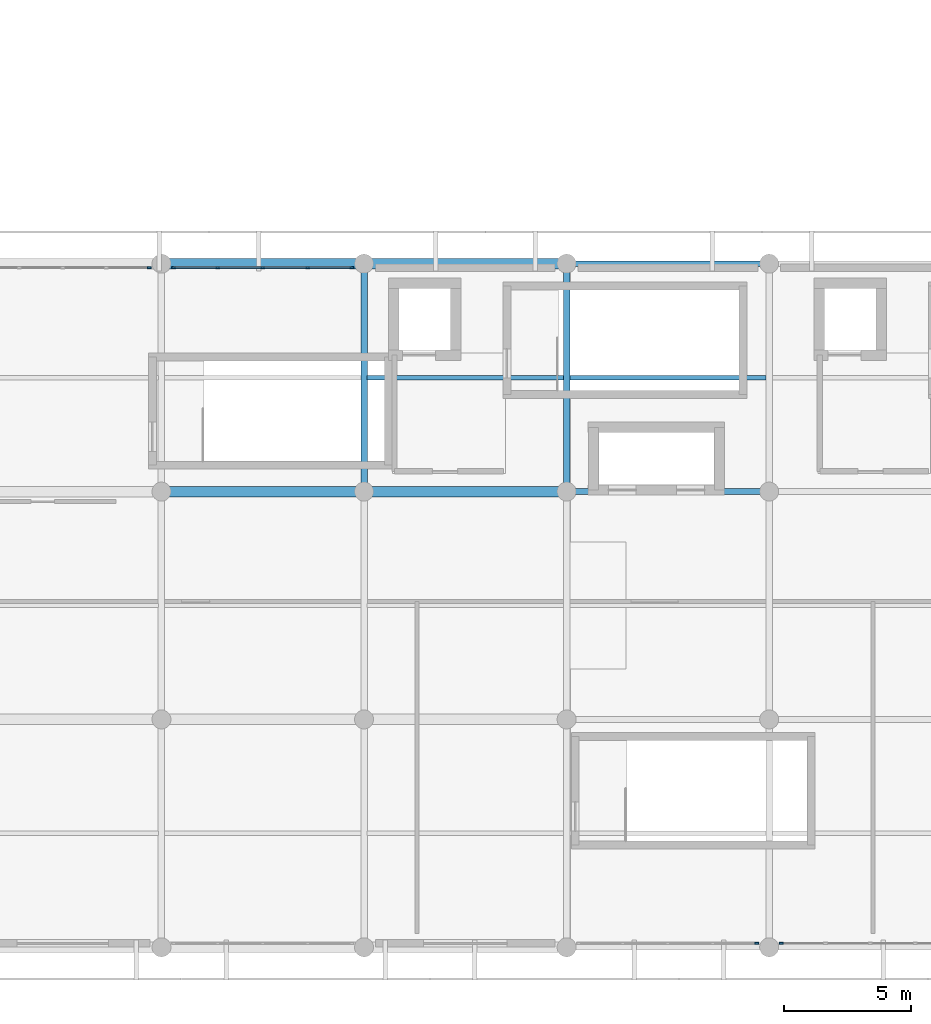
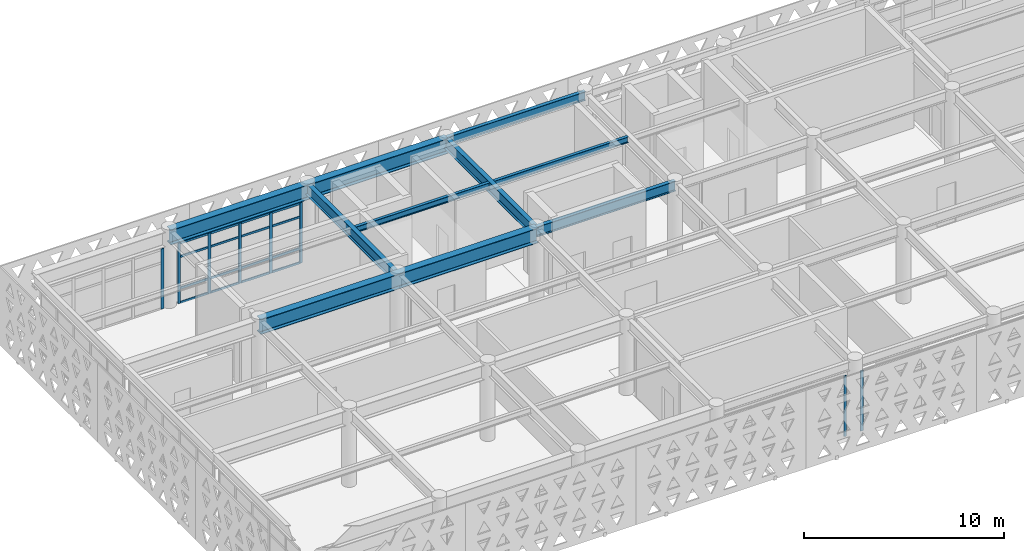
# One storey, part 6 of 26: 24 members, 8 beams, 4 elements without a shape of their own.
"""IFC4 building model written with IfcOpenShell, lengths in metres."""

from ifc_helpers import new_model, si_unit, direction, frame, origin, origin_2d, place, context, subcontext, project, spatial, rectangle, i_section, extrude, material, layer, layer_set, material_profile, profile_set, type_object, element, aggregate, save


model = new_model("IFC4")

# Units and contexts
model_context = context("Model", 3, precision=1e-05, world=origin(), true_north=direction((0.0, 1.0)))
body_context = subcontext(model_context, "Body", "Model", "MODEL_VIEW")
ifc_project = project(units=[si_unit("LENGTHUNIT", "METRE"), si_unit("AREAUNIT", "SQUARE_METRE"), si_unit("VOLUMEUNIT", "CUBIC_METRE"), si_unit("PLANEANGLEUNIT", "RADIAN"), si_unit("MASSUNIT", "GRAM", prefix="KILO")], contexts=[model_context])

# Site, building, storey
site_placement = place(None, origin())
site = spatial("IfcSite", under=ifc_project, at=site_placement, CompositionType="ELEMENT")
building_placement = place(site_placement, origin())
building = spatial("IfcBuilding", under=site, at=building_placement, Name="Tlacozan Convention Centre", CompositionType="ELEMENT")
storey_placement = place(building_placement, frame((0.0, 0.0, 21.0)))
storey = spatial("IfcBuildingStorey", under=building, at=storey_placement, Name="L04", CompositionType="ELEMENT", Elevation=21.0)

# Curtain wall, member
ifc_material_1 = material(Name="Dark Bronze Anodised Aluminium", Category="aluminium")
ifc_layer = layer(ifc_material_1, 0.159912109375)
ifc_layer_set = layer_set([ifc_layer], Name="Dark Bronze Anodised Aluminium")
curtain_wall_type = type_object("IfcCurtainWallType", Name="Unitised Congress L04 South CW05", PredefinedType="NOTDEFINED", material=ifc_layer_set)
curtain_wall_1_placement = place(storey_placement, origin())
curtain_wall_1 = element("IfcCurtainWall", 1, at=curtain_wall_1_placement, inside=storey, type_object=curtain_wall_type, Name="L04 CW-05 Run 125", PredefinedType="NOTDEFINED")
ifc_material_profile_1 = material_profile(ifc_material_1, rectangle(XDim=0.06494140625, YDim=0.159912109375, at=origin_2d()), Name="ALU 65x160")
ifc_profile_set_1 = profile_set([ifc_material_profile_1], Name="Dark Bronze Anodised Aluminium")
member_type_1 = type_object("IfcMemberType", Name="Curtain Wall Mullion 65x160", PredefinedType="MULLION", material=ifc_profile_set_1)
member_1_placement = place(storey_placement, frame((31.517578125, 0.159912109375, 0.0), z_axis=(0.0, 0.0, 1.0), x_axis=(0.0, 1.0, 0.0)))
member_1 = element("IfcMember", 2, at=member_1_placement, type_object=member_type_1, Name="CW-05 mullion 5", PredefinedType="MULLION", context=body_context, shape_type="SweptSolid", body=[
    extrude(rectangle(XDim=0.06494140625, YDim=0.159912109375, at=origin_2d()), origin(), (0.0, 0.0, 1.0), 3.679931640625),
])
aggregate(curtain_wall_1, [member_1])

curtain_wall_2_placement = place(storey_placement, origin())
curtain_wall_2 = element("IfcCurtainWall", 3, at=curtain_wall_2_placement, inside=storey, type_object=curtain_wall_type, Name="L04 CW-05 Run 126", PredefinedType="NOTDEFINED")
member_2_placement = place(storey_placement, frame((32.482421875, 0.159912109375, 0.0), z_axis=(0.0, 0.0, 1.0), x_axis=(0.0, 1.0, 0.0)))
member_2 = element("IfcMember", 4, at=member_2_placement, type_object=member_type_1, Name="CW-05 mullion 1", PredefinedType="MULLION", context=body_context, shape_type="SweptSolid", body=[
    extrude(rectangle(XDim=0.06494140625, YDim=0.159912109375, at=origin_2d()), origin(), (0.0, 0.0, 1.0), 3.679931640625),
])
aggregate(curtain_wall_2, [member_2])

curtain_wall_3_placement = place(storey_placement, origin())
curtain_wall_3 = element("IfcCurtainWall", 5, at=curtain_wall_3_placement, inside=storey, type_object=curtain_wall_type, Name="L04 CW-05 Run 134", PredefinedType="NOTDEFINED")
member_3_placement = place(storey_placement, frame((7.517578125, 26.840087890625, 0.0), z_axis=(0.0, 0.0, 1.0), x_axis=(0.0, 1.0, 0.0)))
member_3 = element("IfcMember", 6, at=member_3_placement, type_object=member_type_1, Name="CW-05 mullion 5", PredefinedType="MULLION", context=body_context, shape_type="SweptSolid", body=[
    extrude(rectangle(XDim=0.06494140625, YDim=0.159912109375, at=origin_2d()), origin(), (0.0, 0.0, 1.0), 3.679931640625),
])
aggregate(curtain_wall_3, [member_3])

# Curtain wall, members
curtain_wall_4_placement = place(storey_placement, origin())
curtain_wall_4 = element("IfcCurtainWall", 7, at=curtain_wall_4_placement, inside=storey, type_object=curtain_wall_type, Name="L04 CW-05 Run 135", PredefinedType="NOTDEFINED")
member_4_placement = place(storey_placement, frame((8.482421875, 26.840087890625, 0.0), z_axis=(0.0, 0.0, 1.0), x_axis=(0.0, 1.0, 0.0)))
member_4 = element("IfcMember", 8, at=member_4_placement, type_object=member_type_1, Name="CW-05 mullion 1", PredefinedType="MULLION", context=body_context, shape_type="SweptSolid", body=[
    extrude(rectangle(XDim=0.06494140625, YDim=0.159912109375, at=origin_2d()), origin(), (0.0, 0.0, 1.0), 3.679931640625),
])
member_5_placement = place(storey_placement, frame((10.22509765625, 26.840087890625, 0.0), z_axis=(0.0, 0.0, 1.0), x_axis=(0.0, 1.0, 0.0)))
member_5 = element("IfcMember", 9, at=member_5_placement, type_object=member_type_1, Name="CW-05 mullion 2", PredefinedType="MULLION", context=body_context, shape_type="SweptSolid", body=[
    extrude(rectangle(XDim=0.06494140625, YDim=0.159912109375, at=origin_2d()), origin(), (0.0, 0.0, 1.0), 3.679931640625),
])
member_6_placement = place(storey_placement, frame((12.0, 26.840087890625, 0.0), z_axis=(0.0, 0.0, 1.0), x_axis=(0.0, 1.0, 0.0)))
member_6 = element("IfcMember", 10, at=member_6_placement, type_object=member_type_1, Name="CW-05 mullion 3", PredefinedType="MULLION", context=body_context, shape_type="SweptSolid", body=[
    extrude(rectangle(XDim=0.06494140625, YDim=0.159912109375, at=origin_2d()), origin(), (0.0, 0.0, 1.0), 3.679931640625),
])
member_7_placement = place(storey_placement, frame((13.77490234375, 26.840087890625, 0.0), z_axis=(0.0, 0.0, 1.0), x_axis=(0.0, 1.0, 0.0)))
member_7 = element("IfcMember", 11, at=member_7_placement, type_object=member_type_1, Name="CW-05 mullion 4", PredefinedType="MULLION", context=body_context, shape_type="SweptSolid", body=[
    extrude(rectangle(XDim=0.06494140625, YDim=0.159912109375, at=origin_2d()), origin(), (0.0, 0.0, 1.0), 3.679931640625),
])
member_8_placement = place(storey_placement, frame((15.517578125, 26.840087890625, 0.0), z_axis=(0.0, 0.0, 1.0), x_axis=(0.0, 1.0, 0.0)))
member_8 = element("IfcMember", 12, at=member_8_placement, type_object=member_type_1, Name="CW-05 mullion 5", PredefinedType="MULLION", context=body_context, shape_type="SweptSolid", body=[
    extrude(rectangle(XDim=0.06494140625, YDim=0.159912109375, at=origin_2d()), origin(), (0.0, 0.0, 1.0), 3.679931640625),
])
ifc_material_profile_2 = material_profile(ifc_material_1, rectangle(XDim=0.06494140625, YDim=0.125, at=origin_2d()), Name="ALU 65x125")
ifc_profile_set_2 = profile_set([ifc_material_profile_2], Name="Dark Bronze Anodised Aluminium")
member_type_2 = type_object("IfcMemberType", Name="Curtain Wall Transom 65x125", PredefinedType="USERDEFINED", material=ifc_profile_set_2)
member_9_placement = place(storey_placement, frame((8.514892578125, 26.840087890625, 0.032470703125), z_axis=(1.0, 0.0, 0.0), x_axis=(0.0, 1.0, 0.0)))
member_9 = element("IfcMember", 13, at=member_9_placement, type_object=member_type_2, Name="CW-05 transom 1.1", ObjectType="TRANSOM", PredefinedType="USERDEFINED", context=body_context, shape_type="SweptSolid", body=[
    extrude(rectangle(XDim=0.06494140625, YDim=0.125, at=origin_2d()), origin(), (0.0, 0.0, 1.0), 1.677490234375),
])
member_10_placement = place(storey_placement, frame((8.514892578125, 26.840087890625, 0.89990234375), z_axis=(1.0, 0.0, 0.0), x_axis=(0.0, 1.0, 0.0)))
member_10 = element("IfcMember", 14, at=member_10_placement, type_object=member_type_2, Name="CW-05 transom 1.2", ObjectType="TRANSOM", PredefinedType="USERDEFINED", context=body_context, shape_type="SweptSolid", body=[
    extrude(rectangle(XDim=0.06494140625, YDim=0.125, at=origin_2d()), origin(), (0.0, 0.0, 1.0), 1.677490234375),
])
member_11_placement = place(storey_placement, frame((8.514892578125, 26.840087890625, 2.830078125), z_axis=(1.0, 0.0, 0.0), x_axis=(0.0, 1.0, 0.0)))
member_11 = element("IfcMember", 15, at=member_11_placement, type_object=member_type_2, Name="CW-05 transom 1.3", ObjectType="TRANSOM", PredefinedType="USERDEFINED", context=body_context, shape_type="SweptSolid", body=[
    extrude(rectangle(XDim=0.06494140625, YDim=0.125, at=origin_2d()), origin(), (0.0, 0.0, 1.0), 1.677490234375),
])
member_12_placement = place(storey_placement, frame((8.514892578125, 26.840087890625, 3.6474609375), z_axis=(1.0, 0.0, 0.0), x_axis=(0.0, 1.0, 0.0)))
member_12 = element("IfcMember", 16, at=member_12_placement, type_object=member_type_2, Name="CW-05 transom 1.4", ObjectType="TRANSOM", PredefinedType="USERDEFINED", context=body_context, shape_type="SweptSolid", body=[
    extrude(rectangle(XDim=0.06494140625, YDim=0.125, at=origin_2d()), origin(), (0.0, 0.0, 1.0), 1.677490234375),
])
member_13_placement = place(storey_placement, frame((10.257568359375, 26.840087890625, 0.032470703125), z_axis=(1.0, 0.0, 0.0), x_axis=(0.0, 1.0, 0.0)))
member_13 = element("IfcMember", 17, at=member_13_placement, type_object=member_type_2, Name="CW-05 transom 2.1", ObjectType="TRANSOM", PredefinedType="USERDEFINED", context=body_context, shape_type="SweptSolid", body=[
    extrude(rectangle(XDim=0.06494140625, YDim=0.125, at=origin_2d()), origin(), (0.0, 0.0, 1.0), 1.7099609375),
])
member_14_placement = place(storey_placement, frame((10.257568359375, 26.840087890625, 0.89990234375), z_axis=(1.0, 0.0, 0.0), x_axis=(0.0, 1.0, 0.0)))
member_14 = element("IfcMember", 18, at=member_14_placement, type_object=member_type_2, Name="CW-05 transom 2.2", ObjectType="TRANSOM", PredefinedType="USERDEFINED", context=body_context, shape_type="SweptSolid", body=[
    extrude(rectangle(XDim=0.06494140625, YDim=0.125, at=origin_2d()), origin(), (0.0, 0.0, 1.0), 1.7099609375),
])
member_15_placement = place(storey_placement, frame((10.257568359375, 26.840087890625, 2.830078125), z_axis=(1.0, 0.0, 0.0), x_axis=(0.0, 1.0, 0.0)))
member_15 = element("IfcMember", 19, at=member_15_placement, type_object=member_type_2, Name="CW-05 transom 2.3", ObjectType="TRANSOM", PredefinedType="USERDEFINED", context=body_context, shape_type="SweptSolid", body=[
    extrude(rectangle(XDim=0.06494140625, YDim=0.125, at=origin_2d()), origin(), (0.0, 0.0, 1.0), 1.7099609375),
])
member_16_placement = place(storey_placement, frame((10.257568359375, 26.840087890625, 3.6474609375), z_axis=(1.0, 0.0, 0.0), x_axis=(0.0, 1.0, 0.0)))
member_16 = element("IfcMember", 20, at=member_16_placement, type_object=member_type_2, Name="CW-05 transom 2.4", ObjectType="TRANSOM", PredefinedType="USERDEFINED", context=body_context, shape_type="SweptSolid", body=[
    extrude(rectangle(XDim=0.06494140625, YDim=0.125, at=origin_2d()), origin(), (0.0, 0.0, 1.0), 1.7099609375),
])
member_17_placement = place(storey_placement, frame((12.032470703125, 26.840087890625, 0.032470703125), z_axis=(1.0, 0.0, 0.0), x_axis=(0.0, 1.0, 0.0)))
member_17 = element("IfcMember", 21, at=member_17_placement, type_object=member_type_2, Name="CW-05 transom 3.1", ObjectType="TRANSOM", PredefinedType="USERDEFINED", context=body_context, shape_type="SweptSolid", body=[
    extrude(rectangle(XDim=0.06494140625, YDim=0.125, at=origin_2d()), origin(), (0.0, 0.0, 1.0), 1.7099609375),
])
member_18_placement = place(storey_placement, frame((12.032470703125, 26.840087890625, 0.89990234375), z_axis=(1.0, 0.0, 0.0), x_axis=(0.0, 1.0, 0.0)))
member_18 = element("IfcMember", 22, at=member_18_placement, type_object=member_type_2, Name="CW-05 transom 3.2", ObjectType="TRANSOM", PredefinedType="USERDEFINED", context=body_context, shape_type="SweptSolid", body=[
    extrude(rectangle(XDim=0.06494140625, YDim=0.125, at=origin_2d()), origin(), (0.0, 0.0, 1.0), 1.7099609375),
])
member_19_placement = place(storey_placement, frame((12.032470703125, 26.840087890625, 2.830078125), z_axis=(1.0, 0.0, 0.0), x_axis=(0.0, 1.0, 0.0)))
member_19 = element("IfcMember", 23, at=member_19_placement, type_object=member_type_2, Name="CW-05 transom 3.3", ObjectType="TRANSOM", PredefinedType="USERDEFINED", context=body_context, shape_type="SweptSolid", body=[
    extrude(rectangle(XDim=0.06494140625, YDim=0.125, at=origin_2d()), origin(), (0.0, 0.0, 1.0), 1.7099609375),
])
member_20_placement = place(storey_placement, frame((12.032470703125, 26.840087890625, 3.6474609375), z_axis=(1.0, 0.0, 0.0), x_axis=(0.0, 1.0, 0.0)))
member_20 = element("IfcMember", 24, at=member_20_placement, type_object=member_type_2, Name="CW-05 transom 3.4", ObjectType="TRANSOM", PredefinedType="USERDEFINED", context=body_context, shape_type="SweptSolid", body=[
    extrude(rectangle(XDim=0.06494140625, YDim=0.125, at=origin_2d()), origin(), (0.0, 0.0, 1.0), 1.7099609375),
])
member_21_placement = place(storey_placement, frame((13.8076171875, 26.840087890625, 0.032470703125), z_axis=(1.0, 0.0, 0.0), x_axis=(0.0, 1.0, 0.0)))
member_21 = element("IfcMember", 25, at=member_21_placement, type_object=member_type_2, Name="CW-05 transom 4.1", ObjectType="TRANSOM", PredefinedType="USERDEFINED", context=body_context, shape_type="SweptSolid", body=[
    extrude(rectangle(XDim=0.06494140625, YDim=0.125, at=origin_2d()), origin(), (0.0, 0.0, 1.0), 1.677490234375),
])
member_22_placement = place(storey_placement, frame((13.8076171875, 26.840087890625, 0.89990234375), z_axis=(1.0, 0.0, 0.0), x_axis=(0.0, 1.0, 0.0)))
member_22 = element("IfcMember", 26, at=member_22_placement, type_object=member_type_2, Name="CW-05 transom 4.2", ObjectType="TRANSOM", PredefinedType="USERDEFINED", context=body_context, shape_type="SweptSolid", body=[
    extrude(rectangle(XDim=0.06494140625, YDim=0.125, at=origin_2d()), origin(), (0.0, 0.0, 1.0), 1.677490234375),
])
member_23_placement = place(storey_placement, frame((13.8076171875, 26.840087890625, 2.830078125), z_axis=(1.0, 0.0, 0.0), x_axis=(0.0, 1.0, 0.0)))
member_23 = element("IfcMember", 27, at=member_23_placement, type_object=member_type_2, Name="CW-05 transom 4.3", ObjectType="TRANSOM", PredefinedType="USERDEFINED", context=body_context, shape_type="SweptSolid", body=[
    extrude(rectangle(XDim=0.06494140625, YDim=0.125, at=origin_2d()), origin(), (0.0, 0.0, 1.0), 1.677490234375),
])
member_24_placement = place(storey_placement, frame((13.8076171875, 26.840087890625, 3.6474609375), z_axis=(1.0, 0.0, 0.0), x_axis=(0.0, 1.0, 0.0)))
member_24 = element("IfcMember", 28, at=member_24_placement, type_object=member_type_2, Name="CW-05 transom 4.4", ObjectType="TRANSOM", PredefinedType="USERDEFINED", context=body_context, shape_type="SweptSolid", body=[
    extrude(rectangle(XDim=0.06494140625, YDim=0.125, at=origin_2d()), origin(), (0.0, 0.0, 1.0), 1.677490234375),
])
aggregate(curtain_wall_4, [member_4, member_5, member_6, member_7, member_8, member_9, member_10, member_11, member_12, member_13, member_14, member_15, member_16, member_17, member_18, member_19, member_20, member_21, member_22, member_23, member_24])

# Beams
ifc_material_2 = material(Name="Steel ASTM A992 Grade 50", Category="steel")
ifc_material_profile_3 = material_profile(ifc_material_2, i_section(OverallWidth=0.22900390625, OverallDepth=0.612060546875, WebThickness=0.011962890625, FlangeThickness=0.01953125, FilletRadius=0.012939453125, at=origin_2d()), Name="IR 610x125.0")
ifc_profile_set_3 = profile_set([ifc_material_profile_3], Name="Steel ASTM A992 Grade 50")
beam_type_1 = type_object("IfcBeamType", Name="Floor Beam IR 610x125", PredefinedType="BEAM", material=ifc_profile_set_3)
beam_1_placement = place(storey_placement, frame((24.0, 18.0, 4.333984375), z_axis=(1.0, 0.0, 0.0), x_axis=(0.0, 1.0, 0.0)))
element("IfcBeam", 29, at=beam_1_placement, inside=storey, type_object=beam_type_1, Name="L04 Floor Beam IR 610x125 699", PredefinedType="BEAM", context=body_context, shape_type="SweptSolid", body=[
    extrude(i_section(OverallWidth=0.22900390625, OverallDepth=0.612060546875, WebThickness=0.011962890625, FlangeThickness=0.01953125, FilletRadius=0.012939453125, at=origin_2d()), origin(), (0.0, 0.0, 1.0), 8.0),
])
ifc_material_profile_4 = material_profile(ifc_material_2, i_section(OverallWidth=0.256103515625, OverallDepth=0.693115234375, WebThickness=0.014404296875, FlangeThickness=0.023681640625, FilletRadius=0.014892578125, at=origin_2d()), Name="IR 686x170.0")
ifc_profile_set_4 = profile_set([ifc_material_profile_4], Name="Steel ASTM A992 Grade 50")
beam_type_2 = type_object("IfcBeamType", Name="Girder Steel IR 686x170", PredefinedType="BEAM", material=ifc_profile_set_4)
for number, where, z_axis, x_axis, name in (
    (30, (16.0, 18.0, 4.29345703125), (0.0, 1.0, 0.0), (-1.0, 0.0, 0.0), "L04 Girder Steel IR 686x170 655"),
    (31, (24.0, 18.0, 4.29345703125), (0.0, 1.0, 0.0), (-1.0, 0.0, 0.0), "L04 Girder Steel IR 686x170 658"),
):
    element("IfcBeam", number, at=place(storey_placement, frame(where, z_axis=z_axis, x_axis=x_axis)), inside=storey, type_object=beam_type_2, Name=name, PredefinedType="BEAM", context=body_context, shape_type="SweptSolid", body=[
        extrude(i_section(OverallWidth=0.256103515625, OverallDepth=0.693115234375, WebThickness=0.014404296875, FlangeThickness=0.023681640625, FilletRadius=0.014892578125, at=origin_2d()), origin(), (0.0, 0.0, 1.0), 9.0),
    ])
ifc_material_profile_5 = material_profile(ifc_material_2, i_section(OverallWidth=0.2109375, OverallDepth=0.5390625, WebThickness=0.01171875, FlangeThickness=0.018798828125, FilletRadius=0.012939453125, at=origin_2d()), Name="IR 533x109.0")
ifc_profile_set_5 = profile_set([ifc_material_profile_5], Name="Steel ASTM A992 Grade 50")
beam_type_3 = type_object("IfcBeamType", Name="Perimeter Spandrel IR 533x109", PredefinedType="SPANDREL", material=ifc_profile_set_5)
beam_2_placement = place(storey_placement, frame((24.0, 27.0, 4.37060546875), z_axis=(1.0, 0.0, 0.0), x_axis=(0.0, 1.0, 0.0)))
element("IfcBeam", 32, at=beam_2_placement, inside=storey, type_object=beam_type_3, Name="L04 Perimeter Spandrel IR 533x109 700", PredefinedType="SPANDREL", context=body_context, shape_type="SweptSolid", body=[
    extrude(i_section(OverallWidth=0.2109375, OverallDepth=0.5390625, WebThickness=0.01171875, FlangeThickness=0.018798828125, FilletRadius=0.012939453125, at=origin_2d()), origin(), (0.0, 0.0, 1.0), 8.0),
])
ifc_material_profile_6 = material_profile(ifc_material_2, i_section(OverallWidth=0.173095703125, OverallDepth=0.364013671875, WebThickness=0.009033203125, FlangeThickness=0.015625, FilletRadius=0.010009765625, at=origin_2d()), Name="IR 356x67.1")
ifc_profile_set_6 = profile_set([ifc_material_profile_6], Name="Steel ASTM A992 Grade 50")
beam_type_4 = type_object("IfcBeamType", Name="Secondary Joist IR 356x67.1", PredefinedType="JOIST", material=ifc_profile_set_6)
for number, where, z_axis, x_axis, name in (
    (33, (16.1259765625, 22.5, 4.4580078125), (1.0, 0.0, 0.0), (0.0, 1.0, 0.0), "L04 Secondary Joist IR 356x67.1 741"),
    (34, (24.1259765625, 22.5, 4.4580078125), (1.0, 0.0, 0.0), (0.0, 1.0, 0.0), "L04 Secondary Joist IR 356x67.1 744"),
):
    element("IfcBeam", number, at=place(storey_placement, frame(where, z_axis=z_axis, x_axis=x_axis)), inside=storey, type_object=beam_type_4, Name=name, PredefinedType="JOIST", context=body_context, shape_type="SweptSolid", body=[
        extrude(i_section(OverallWidth=0.173095703125, OverallDepth=0.364013671875, WebThickness=0.009033203125, FlangeThickness=0.015625, FilletRadius=0.010009765625, at=origin_2d()), origin(), (0.0, 0.0, 1.0), 7.748046875),
    ])
ifc_material_profile_7 = material_profile(ifc_material_2, i_section(OverallWidth=0.41796875, OverallDepth=0.912109375, WebThickness=0.019287109375, FlangeThickness=0.031982421875, FilletRadius=0.02001953125, at=origin_2d()), Name="IR 914x342.0")
ifc_profile_set_7 = profile_set([ifc_material_profile_7], Name="Steel ASTM A992 Grade 50")
beam_type_5 = type_object("IfcBeamType", Name="Transfer Girder IR 914x342", PredefinedType="BEAM", material=ifc_profile_set_7)
for number, where, z_axis, x_axis, name in (
    (35, (24.0, 18.0, 4.18408203125), (-1.0, 0.0, 0.0), (0.0, -1.0, 0.0), "L04 Transfer Girder IR 914x342 693"),
    (36, (24.0, 27.0, 4.18408203125), (-1.0, 0.0, 0.0), (0.0, -1.0, 0.0), "L04 Transfer Girder IR 914x342 695"),
):
    element("IfcBeam", number, at=place(storey_placement, frame(where, z_axis=z_axis, x_axis=x_axis)), inside=storey, type_object=beam_type_5, Name=name, PredefinedType="BEAM", context=body_context, shape_type="SweptSolid", body=[
        extrude(i_section(OverallWidth=0.41796875, OverallDepth=0.912109375, WebThickness=0.019287109375, FlangeThickness=0.031982421875, FilletRadius=0.02001953125, at=origin_2d()), origin(), (0.0, 0.0, 1.0), 16.0),
    ])

save(model, "model.ifc")
